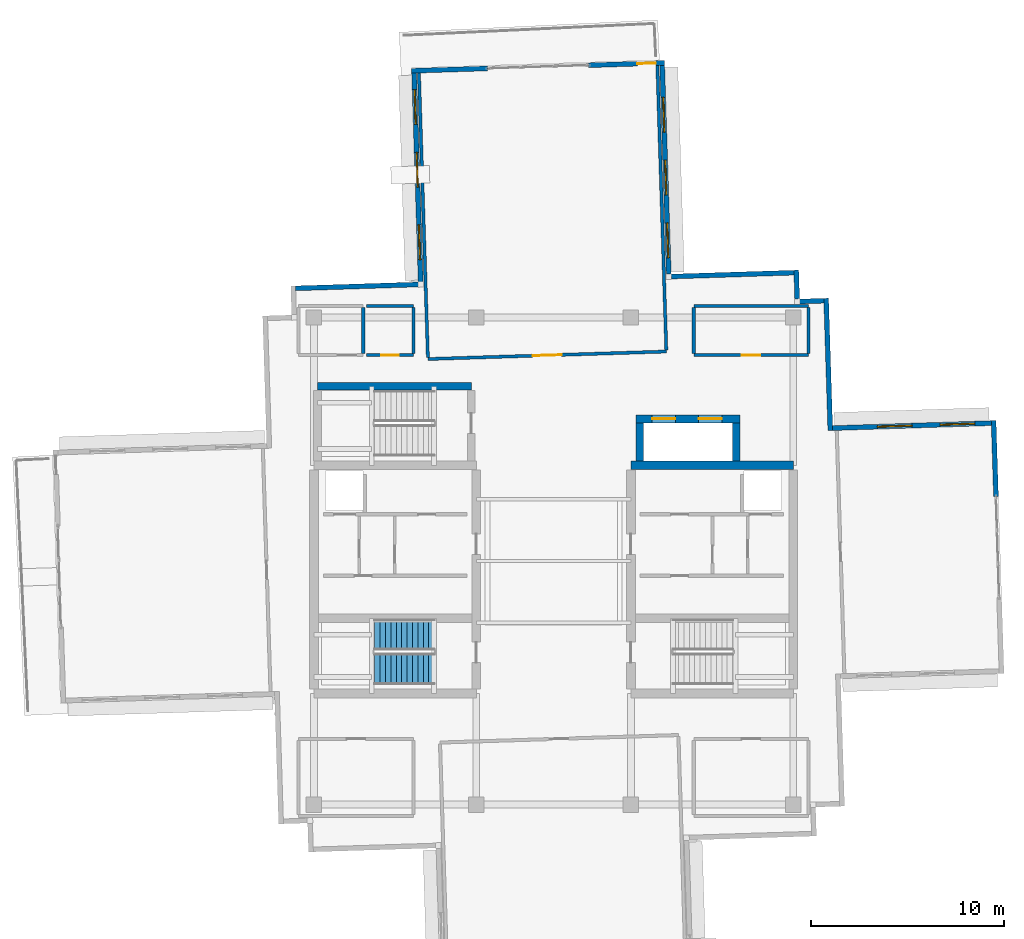
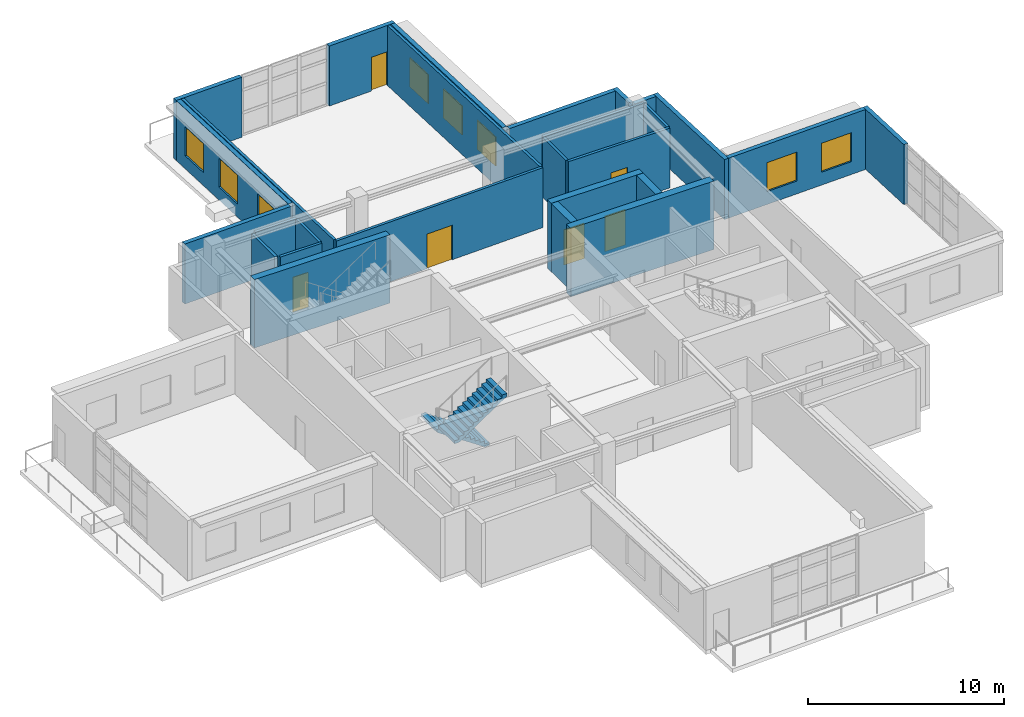
# One storey, part 12 of 18: 27 walls, 8 windows, 6 doors, 2 stair flights, 14 openings, 1 element without a shape of its own.
"""IFC4 building model written with IfcOpenShell, lengths in metres."""

from ifc_helpers import new_model, si_unit, direction, frame, frame_2d, origin, place, context, subcontext, project, spatial, polyline, rectangle, outline, extrude, material, layer, layer_set, type_object, element, fill, aggregate, save


model = new_model("IFC4")

# Units and contexts
model_context = context("Model", 3, precision=1e-05, world=origin(), true_north=direction((0.0, 1.0)))
body_context = subcontext(model_context, "Body", "Model", "MODEL_VIEW")
ifc_project = project(units=[si_unit("LENGTHUNIT", "METRE"), si_unit("AREAUNIT", "SQUARE_METRE"), si_unit("VOLUMEUNIT", "CUBIC_METRE"), si_unit("PLANEANGLEUNIT", "RADIAN"), si_unit("MASSUNIT", "GRAM", prefix="KILO")], contexts=[model_context])

# Site, building, storey
site_placement = place(None, origin())
site = spatial("IfcSite", under=ifc_project, at=site_placement, CompositionType="ELEMENT")
building_placement = place(site_placement, origin())
building = spatial("IfcBuilding", under=site, at=building_placement, Name="Qingluan Cross Belvedere", CompositionType="ELEMENT")
storey_placement = place(building_placement, frame((0.0, 0.0, 299.39990234375)))
storey = spatial("IfcBuildingStorey", under=building, at=storey_placement, Name="L74", CompositionType="ELEMENT", Elevation=299.39990234375)

# Walls
ifc_material_1 = material(Name="Concrete C50", Category="concrete")
ifc_layer_1 = layer(ifc_material_1, 0.449951171875, Name="CoreShearWall_450")
ifc_layer_set_1 = layer_set([ifc_layer_1], Name="Concrete C50")
wall_type_1 = type_object("IfcWallType", Name="CoreShearWall_450", PredefinedType="SHEAR", material=ifc_layer_set_1)
wall_1_placement = place(storey_placement, frame((4.0, 4.949951171875, 0.0), z_axis=(0.0, 0.0, 1.0), x_axis=(1.0, 0.0, 0.0)))
element("IfcWall", 1, at=wall_1_placement, inside=storey, type_object=wall_type_1, Name="Split core E shear wall L74-N", PredefinedType="SHEAR", context=body_context, shape_type="SweptSolid", body=[
    extrude(rectangle(XDim=8.39990234375, YDim=0.449951171875, at=frame_2d((4.199951171875, 0.0))), origin(), (0.0, 0.0, 1.0), 4.25),
])
wall_2_placement = place(storey_placement, frame((-12.219970703125, 9.0400390625, 0.0), z_axis=(0.0, 0.0, 1.0), x_axis=(1.0, 0.0, 0.0)))
element("IfcWall", 2, at=wall_2_placement, inside=storey, type_object=wall_type_1, Name="Stair ST3 structural wall N L74", PredefinedType="SHEAR", context=body_context, shape_type="SweptSolid", body=[
    extrude(rectangle(XDim=7.9599609375, YDim=0.39990234375, at=frame_2d((3.97998046875, 0.0))), origin(), (0.0, 0.0, 1.0), 4.25),
])
wall_3_placement = place(storey_placement, frame((4.449951171875, 5.179931640625, 0.0), z_axis=(0.0, 0.0, 1.0), x_axis=(0.0, 1.0, 0.0)))
element("IfcWall", 3, at=wall_3_placement, inside=storey, type_object=wall_type_1, Name="Express shuttle core wall L74-W", PredefinedType="SHEAR", context=body_context, shape_type="SweptSolid", body=[
    extrude(rectangle(XDim=1.9599609375, YDim=0.39990234375, at=frame_2d((0.97998046875, 0.0))), origin(), (0.0, 0.0, 1.0), 4.25),
])

# Wall, openings, doors
wall_4_placement = place(storey_placement, frame((4.25, 7.35009765625, 0.0), z_axis=(0.0, 0.0, 1.0), x_axis=(1.0, 0.0, 0.0)))
wall_4 = element("IfcWall", 4, at=wall_4_placement, inside=storey, type_object=wall_type_1, Name="Express shuttle core wall L74-N", PredefinedType="SHEAR", context=body_context, shape_type="SweptSolid", body=[
    extrude(rectangle(XDim=5.39990234375, YDim=0.39990234375, at=frame_2d((2.699951171875, 0.0))), origin(), (0.0, 0.0, 1.0), 4.25),
])
opening_1_placement = place(wall_4_placement, frame((0.85009765625, 0.0, 0.0)))
opening_1 = element("IfcOpeningElement", 5, at=opening_1_placement, cuts=wall_4, Name="Opening LD-12", PredefinedType="OPENING", context=body_context, shape_type="SweptSolid", body=[
    extrude(rectangle(XDim=1.199951171875, YDim=2.199951171875, at=frame_2d((0.60009765625, 1.10009765625))), frame((0.0, 0.2099609375, 0.0), z_axis=(0.0, -1.0, 0.0), x_axis=(1.0, 0.0, 0.0)), (0.0, 0.0, 1.0), 0.419921875),
])
opening_2_placement = place(wall_4_placement, frame((3.25, 0.0, 0.0)))
opening_2 = element("IfcOpeningElement", 6, at=opening_2_placement, cuts=wall_4, Name="Opening LD-12", PredefinedType="OPENING", context=body_context, shape_type="SweptSolid", body=[
    extrude(rectangle(XDim=1.199951171875, YDim=2.199951171875, at=frame_2d((0.60009765625, 1.10009765625))), frame((0.0, 0.2099609375, 0.0), z_axis=(0.0, -1.0, 0.0), x_axis=(1.0, 0.0, 0.0)), (0.0, 0.0, 1.0), 0.419921875),
])
ifc_material_2 = material(Name="Bronze-anodised stainless steel lift landing door", Category="steel")
door_type_1 = type_object("IfcDoorType", Name="ExpressLiftSlidingDoor_1200", OperationType="DOUBLE_DOOR_SLIDING", PredefinedType="DOOR", material=ifc_material_2)
door_1_placement = place(opening_1_placement, origin())
door_1 = element("IfcDoor", 7, at=door_1_placement, inside=storey, type_object=door_type_1, Name="Express shuttle landing sliding door LPX1 L74", OperationType="DOUBLE_DOOR_SLIDING", OverallHeight=2.199951171875, OverallWidth=1.199951171875, PredefinedType="DOOR", context=body_context, shape_type="SweptSolid", body=[
    extrude(rectangle(XDim=1.199951171875, YDim=2.199951171875, at=frame_2d((0.60009765625, 1.10009765625))), frame((0.0, 0.02490234375, 0.0), z_axis=(0.0, -1.0, 0.0), x_axis=(1.0, 0.0, 0.0)), (0.0, 0.0, 1.0), 0.050048828125),
])
fill(opening_1, door_1)
door_2_placement = place(opening_2_placement, origin())
door_2 = element("IfcDoor", 8, at=door_2_placement, inside=storey, type_object=door_type_1, Name="Express shuttle landing sliding door LPX2 L74", OperationType="DOUBLE_DOOR_SLIDING", OverallHeight=2.199951171875, OverallWidth=1.199951171875, PredefinedType="DOOR", context=body_context, shape_type="SweptSolid", body=[
    extrude(rectangle(XDim=1.199951171875, YDim=2.199951171875, at=frame_2d((0.60009765625, 1.10009765625))), frame((0.0, 0.02490234375, 0.0), z_axis=(0.0, -1.0, 0.0), x_axis=(1.0, 0.0, 0.0)), (0.0, 0.0, 1.0), 0.050048828125),
])
fill(opening_2, door_2)

# Wall
wall_5_placement = place(storey_placement, frame((9.449951171875, 5.179931640625, 0.0), z_axis=(0.0, 0.0, 1.0), x_axis=(0.0, 1.0, 0.0)))
element("IfcWall", 9, at=wall_5_placement, inside=storey, type_object=wall_type_1, Name="Express shuttle core wall L74-E", PredefinedType="SHEAR", context=body_context, shape_type="SweptSolid", body=[
    extrude(rectangle(XDim=1.9599609375, YDim=0.39990234375, at=frame_2d((0.97998046875, 0.0))), origin(), (0.0, 0.0, 1.0), 4.25),
])

# Wall, opening, door
ifc_material_3 = material(Name="Gypsum plasterboard on steel stud acoustic partition", Category="steel")
ifc_layer_2 = layer(ifc_material_3, 0.159912109375, Name="CorridorPartition_160")
ifc_layer_set_2 = layer_set([ifc_layer_2], Name="Gypsum plasterboard on steel stud acoustic partition")
wall_type_2 = type_object("IfcWallType", Name="CorridorPartition_160", PredefinedType="PARTITIONING", material=ifc_layer_set_2)
wall_6_placement = place(storey_placement, frame((-6.50146484375, 10.450927734375, 0.0), z_axis=(0.0, 0.0, 1.0), x_axis=(0.999506967101, 0.031397813872, 0.0)))
wall_6 = element("IfcWall", 10, at=wall_6_placement, inside=storey, type_object=wall_type_2, Name="Partition L74:damper_hall:S", PredefinedType="PARTITIONING", context=body_context, shape_type="SweptSolid", body=[
    extrude(rectangle(XDim=12.340087890625, YDim=0.159912109375, at=frame_2d((6.169921875, 0.0))), origin(), (0.0, 0.0, 1.0), 3.72021484375),
])
opening_3_placement = place(wall_6_placement, frame((5.419921875, 0.0, 0.0)))
opening_3 = element("IfcOpeningElement", 11, at=opening_3_placement, cuts=wall_6, Name="Opening FD-A15", PredefinedType="OPENING", context=body_context, shape_type="SweptSolid", body=[
    extrude(rectangle(XDim=1.5, YDim=2.14990234375, at=frame_2d((0.75, 1.074951171875))), frame((0.0, 0.08984375, 0.0), z_axis=(0.0, -1.0, 0.0), x_axis=(1.0, 0.0, 0.0)), (0.0, 0.0, 1.0), 0.179931640625),
])
ifc_material_4 = material(Name="Insulated steel Class A double fire door", Category="steel")
door_type_2 = type_object("IfcDoorType", Name="PlantDoubleFireDoor_FDA", OperationType="DOUBLE_DOOR_SINGLE_SWING", PredefinedType="DOOR", material=ifc_material_4)
door_3_placement = place(opening_3_placement, origin())
door_3 = element("IfcDoor", 12, at=door_3_placement, inside=storey, type_object=door_type_2, Name="Sky banquet hall L74 door", OperationType="DOUBLE_DOOR_SINGLE_SWING", OverallHeight=2.14990234375, OverallWidth=1.5, PredefinedType="DOOR", context=body_context, shape_type="SweptSolid", body=[
    extrude(rectangle(XDim=1.5, YDim=2.14990234375, at=frame_2d((0.75, 1.074951171875))), frame((0.0, 0.02490234375, 0.0), z_axis=(0.0, -1.0, 0.0), x_axis=(1.0, 0.0, 0.0)), (0.0, 0.0, 1.0), 0.050048828125),
])
fill(opening_3, door_3)

# Walls
wall_7_placement = place(storey_placement, frame((-6.504150390625, 10.535888671875, 0.0), z_axis=(0.0, 0.0, 1.0), x_axis=(-0.031414008392, 0.999506458247, 0.0)))
element("IfcWall", 13, at=wall_7_placement, inside=storey, type_object=wall_type_2, Name="Partition L74:damper_hall:W", PredefinedType="PARTITIONING", context=body_context, shape_type="SweptSolid", body=[
    extrude(rectangle(XDim=14.7119140625, YDim=0.159912109375, at=frame_2d((7.35595703125, 0.0))), origin(), (0.0, 0.0, 1.0), 3.72021484375),
])
wall_8_placement = place(storey_placement, frame((5.829833984375, 10.923583984375, 0.0), z_axis=(0.0, 0.0, 1.0), x_axis=(-0.031413487348, 0.999506474623, 0.0)))
element("IfcWall", 14, at=wall_8_placement, inside=storey, type_object=wall_type_2, Name="Partition L74:damper_hall:E", PredefinedType="PARTITIONING", context=body_context, shape_type="SweptSolid", body=[
    extrude(rectangle(XDim=14.712158203125, YDim=0.159912109375, at=frame_2d((7.35595703125, 0.0))), origin(), (0.0, 0.0, 1.0), 3.72021484375),
])
wall_9_placement = place(storey_placement, frame((-9.85009765625, 10.735107421875, 0.0), z_axis=(0.0, 0.0, 1.0), x_axis=(0.0, 1.0, 0.0)))
element("IfcWall", 15, at=wall_9_placement, inside=storey, type_object=wall_type_2, Name="Partition L74:crown_wc:E", PredefinedType="PARTITIONING", context=body_context, shape_type="SweptSolid", body=[
    extrude(rectangle(XDim=2.369873046875, YDim=0.159912109375, at=frame_2d((1.18505859375, 0.0))), origin(), (0.0, 0.0, 1.0), 3.72021484375),
])

# Wall, opening, door
wall_10_placement = place(storey_placement, frame((-9.68994140625, 10.64990234375, 0.0), z_axis=(0.0, 0.0, 1.0), x_axis=(1.0, 0.0, 0.0)))
wall_10 = element("IfcWall", 16, at=wall_10_placement, inside=storey, type_object=wall_type_2, Name="Partition L74:crown_acc:S", PredefinedType="PARTITIONING", context=body_context, shape_type="SweptSolid", body=[
    extrude(rectangle(XDim=2.43994140625, YDim=0.159912109375, at=frame_2d((1.219970703125, 0.0))), origin(), (0.0, 0.0, 1.0), 3.72021484375),
])
opening_4_placement = place(wall_10_placement, frame((0.77001953125, 0.0, 0.0)))
opening_4 = element("IfcOpeningElement", 17, at=opening_4_placement, cuts=wall_10, Name="Opening BD-90", PredefinedType="OPENING", context=body_context, shape_type="SweptSolid", body=[
    extrude(rectangle(XDim=0.89990234375, YDim=2.14990234375, at=frame_2d((0.449951171875, 1.074951171875))), frame((0.0, 0.08984375, 0.0), z_axis=(0.0, -1.0, 0.0), x_axis=(1.0, 0.0, 0.0)), (0.0, 0.0, 1.0), 0.179931640625),
])
ifc_material_5 = material(Name="Moisture-sealed timber washroom door", Category="wood")
door_type_3 = type_object("IfcDoorType", Name="AccessibleWCDoor_900", OperationType="NOTDEFINED", PredefinedType="DOOR", material=ifc_material_5)
door_4_placement = place(opening_4_placement, origin())
door_4 = element("IfcDoor", 18, at=door_4_placement, inside=storey, type_object=door_type_3, Name="Accessible toilet L74 door", OperationType="SINGLE_SWING_RIGHT", OverallHeight=2.14990234375, OverallWidth=0.89990234375, PredefinedType="DOOR", context=body_context, shape_type="SweptSolid", body=[
    extrude(rectangle(XDim=0.89990234375, YDim=2.14990234375, at=frame_2d((0.449951171875, 1.074951171875))), frame((0.0, 0.02490234375, 0.0), z_axis=(0.0, -1.0, 0.0), x_axis=(1.0, 0.0, 0.0)), (0.0, 0.0, 1.0), 0.050048828125),
])
fill(opening_4, door_4)

# Walls
wall_11_placement = place(storey_placement, frame((-9.68994140625, 13.18994140625, 0.0), z_axis=(0.0, 0.0, 1.0), x_axis=(1.0, 0.0, 0.0)))
element("IfcWall", 19, at=wall_11_placement, inside=storey, type_object=wall_type_2, Name="Partition L74:crown_acc:N", PredefinedType="PARTITIONING", context=body_context, shape_type="SweptSolid", body=[
    extrude(rectangle(XDim=2.43994140625, YDim=0.159912109375, at=frame_2d((1.219970703125, 0.0))), origin(), (0.0, 0.0, 1.0), 3.72021484375),
])
wall_12_placement = place(storey_placement, frame((-7.25, 10.735107421875, 0.0), z_axis=(0.0, 0.0, 1.0), x_axis=(0.0, 1.0, 0.0)))
element("IfcWall", 20, at=wall_12_placement, inside=storey, type_object=wall_type_2, Name="Partition L74:crown_acc:E", PredefinedType="PARTITIONING", context=body_context, shape_type="SweptSolid", body=[
    extrude(rectangle(XDim=2.369873046875, YDim=0.159912109375, at=frame_2d((1.18505859375, 0.0))), origin(), (0.0, 0.0, 1.0), 3.72021484375),
])

# Wall, opening, door
wall_13_placement = place(storey_placement, frame((7.25, 10.64990234375, 0.0), z_axis=(0.0, 0.0, 1.0), x_axis=(1.0, 0.0, 0.0)))
wall_13 = element("IfcWall", 21, at=wall_13_placement, inside=storey, type_object=wall_type_2, Name="Partition L74:crown_ne:S", PredefinedType="PARTITIONING", context=body_context, shape_type="SweptSolid", body=[
    extrude(rectangle(XDim=5.93994140625, YDim=0.159912109375, at=frame_2d((2.969970703125, 0.0))), origin(), (0.0, 0.0, 1.0), 3.72021484375),
])
opening_5_placement = place(wall_13_placement, frame((2.489990234375, 0.0, 0.0)))
opening_5 = element("IfcOpeningElement", 22, at=opening_5_placement, cuts=wall_13, Name="Opening GD-10", PredefinedType="OPENING", context=body_context, shape_type="SweptSolid", body=[
    extrude(rectangle(XDim=0.9599609375, YDim=2.14990234375, at=frame_2d((0.47998046875, 1.074951171875))), frame((0.0, 0.08984375, 0.0), z_axis=(0.0, -1.0, 0.0), x_axis=(1.0, 0.0, 0.0)), (0.0, 0.0, 1.0), 0.179931640625),
])
ifc_material_6 = material(Name="Timber oak fire-rated acoustic guestroom door", Category="wood")
door_type_4 = type_object("IfcDoorType", Name="GuestEntryDoor_FD60", OperationType="NOTDEFINED", PredefinedType="DOOR", material=ifc_material_6)
door_5_placement = place(opening_5_placement, origin())
door_5 = element("IfcDoor", 23, at=door_5_placement, inside=storey, type_object=door_type_4, Name="Belvedere northeast lounge L74 door", OperationType="SINGLE_SWING_LEFT", OverallHeight=2.14990234375, OverallWidth=0.9599609375, PredefinedType="DOOR", context=body_context, shape_type="SweptSolid", body=[
    extrude(rectangle(XDim=0.9599609375, YDim=2.14990234375, at=frame_2d((0.47998046875, 1.074951171875))), frame((0.0, 0.02490234375, 0.0), z_axis=(0.0, -1.0, 0.0), x_axis=(1.0, 0.0, 0.0)), (0.0, 0.0, 1.0), 0.050048828125),
])
fill(opening_5, door_5)

# Walls
wall_14_placement = place(storey_placement, frame((7.25, 13.18994140625, 0.0), z_axis=(0.0, 0.0, 1.0), x_axis=(1.0, 0.0, 0.0)))
element("IfcWall", 24, at=wall_14_placement, inside=storey, type_object=wall_type_2, Name="Partition L74:crown_ne:N", PredefinedType="PARTITIONING", context=body_context, shape_type="SweptSolid", body=[
    extrude(rectangle(XDim=5.93994140625, YDim=0.159912109375, at=frame_2d((2.969970703125, 0.0))), origin(), (0.0, 0.0, 1.0), 3.72021484375),
])
for number, where, z_axis, x_axis, name in (
    (25, (7.25, 10.735107421875, 0.0), (0.0, 0.0, 1.0), (0.0, 1.0, 0.0), "Partition L74:crown_ne:W"),
    (26, (13.18994140625, 10.735107421875, 0.0), (0.0, 0.0, 1.0), (0.0, 1.0, 0.0), "Partition L74:crown_ne:E"),
):
    element("IfcWall", number, at=place(storey_placement, frame(where, z_axis=z_axis, x_axis=x_axis)), inside=storey, type_object=wall_type_2, Name=name, PredefinedType="PARTITIONING", context=body_context, shape_type="SweptSolid", body=[
        extrude(rectangle(XDim=2.369873046875, YDim=0.159912109375, at=frame_2d((1.18505859375, 0.0))), origin(), (0.0, 0.0, 1.0), 3.72021484375),
    ])

# Wall, openings, windows
ifc_material_7 = material(Name="Precast concrete C45", Category="concrete")
ifc_layer_3 = layer(ifc_material_7, 0.25, Name="PrecastCrownWall_250")
ifc_layer_set_3 = layer_set([ifc_layer_3], Name="Precast concrete C45")
wall_type_3 = type_object("IfcWallType", Name="PrecastCrownWall_250", PredefinedType="STANDARD", material=ifc_layer_set_3)
wall_15_placement = place(storey_placement, frame((22.64208984375, 7.134765625, 0.0), z_axis=(0.0, 0.0, 1.0), x_axis=(-0.999505906315, -0.031431564411, 0.0)))
wall_15 = element("IfcWall", 27, at=wall_15_placement, inside=storey, type_object=wall_type_3, Name="Facade wall L74-EB", PredefinedType="STANDARD", context=body_context, shape_type="SweptSolid", body=[
    extrude(rectangle(XDim=8.210205078125, YDim=0.25, at=frame_2d((4.10498046875, 0.0))), origin(), (0.0, 0.0, 1.0), 3.72998046875),
])
opening_6_placement = place(wall_15_placement, frame((0.85009765625, 0.0, 0.800048828125)))
opening_6 = element("IfcOpeningElement", 28, at=opening_6_placement, cuts=wall_15, Name="Opening W-05", PredefinedType="OPENING", context=body_context, shape_type="SweptSolid", body=[
    extrude(rectangle(XDim=1.800048828125, YDim=1.800048828125, at=frame_2d((0.89990234375, 0.89990234375))), frame((0.0, 0.135009765625, 0.0), z_axis=(0.0, -1.0, 0.0), x_axis=(1.0, 0.0, 0.0)), (0.0, 0.0, 1.0), 0.27001953125),
])
opening_7_placement = place(wall_15_placement, frame((4.10009765625, 0.0, 0.800048828125)))
opening_7 = element("IfcOpeningElement", 29, at=opening_7_placement, cuts=wall_15, Name="Opening W-05", PredefinedType="OPENING", context=body_context, shape_type="SweptSolid", body=[
    extrude(rectangle(XDim=1.800048828125, YDim=1.800048828125, at=frame_2d((0.89990234375, 0.89990234375))), frame((0.0, 0.135009765625, 0.0), z_axis=(0.0, -1.0, 0.0), x_axis=(1.0, 0.0, 0.0)), (0.0, 0.0, 1.0), 0.27001953125),
])
ifc_material_8 = material(Name="Thermally broken triple Low-E glass in aluminium frame", Category="aluminium")
window_type = type_object("IfcWindowType", Name="CrownBelvedereWin_1800x1800", PartitioningType="SINGLE_PANEL", PredefinedType="WINDOW", material=ifc_material_8)
window_1_placement = place(opening_6_placement, origin())
window_1 = element("IfcWindow", 30, at=window_1_placement, inside=storey, type_object=window_type, Name="Ribbon window L74-EB-1", OverallHeight=1.800048828125, OverallWidth=1.800048828125, PartitioningType="SINGLE_PANEL", PredefinedType="WINDOW", context=body_context, shape_type="SweptSolid", body=[
    extrude(rectangle(XDim=1.800048828125, YDim=1.800048828125, at=frame_2d((0.89990234375, 0.89990234375))), frame((0.0, 0.030029296875, 0.0), z_axis=(0.0, -1.0, 0.0), x_axis=(1.0, 0.0, 0.0)), (0.0, 0.0, 1.0), 0.06005859375),
])
fill(opening_6, window_1)
window_2_placement = place(opening_7_placement, origin())
window_2 = element("IfcWindow", 31, at=window_2_placement, inside=storey, type_object=window_type, Name="Ribbon window L74-EB-2", OverallHeight=1.800048828125, OverallWidth=1.800048828125, PartitioningType="SINGLE_PANEL", PredefinedType="WINDOW", context=body_context, shape_type="SweptSolid", body=[
    extrude(rectangle(XDim=1.800048828125, YDim=1.800048828125, at=frame_2d((0.89990234375, 0.89990234375))), frame((0.0, 0.030029296875, 0.0), z_axis=(0.0, -1.0, 0.0), x_axis=(1.0, 0.0, 0.0)), (0.0, 0.0, 1.0), 0.06005859375),
])
fill(opening_7, window_2)

# Wall
wall_16_placement = place(storey_placement, frame((22.886474609375, 3.33837890625, 0.0), z_axis=(0.0, 0.0, 1.0), x_axis=(-0.031393897283, 0.999507090127, 0.0)))
element("IfcWall", 32, at=wall_16_placement, inside=storey, type_object=wall_type_3, Name="Terrace portal jamb wall L74-E2", PredefinedType="STANDARD", context=body_context, shape_type="SweptSolid", body=[
    extrude(rectangle(XDim=3.92724609375, YDim=0.25, at=frame_2d((1.963623046875, 0.0))), origin(), (0.0, 0.0, 1.0), 3.72998046875),
])

# Wall, openings, windows
wall_17_placement = place(storey_placement, frame((5.956787109375, 14.83935546875, 0.0), z_axis=(0.0, 0.0, 1.0), x_axis=(-0.031415252825, 0.999506419134, 0.0)))
wall_17 = element("IfcWall", 33, at=wall_17_placement, inside=storey, type_object=wall_type_3, Name="Facade wall L74-NA", PredefinedType="STANDARD", context=body_context, shape_type="SweptSolid", body=[
    extrude(rectangle(XDim=10.81005859375, YDim=0.25, at=frame_2d((5.405029296875, 0.0))), origin(), (0.0, 0.0, 1.0), 3.72998046875),
])
opening_8_placement = place(wall_17_placement, frame((0.85009765625, 0.0, 0.800048828125)))
opening_8 = element("IfcOpeningElement", 34, at=opening_8_placement, cuts=wall_17, Name="Opening W-05", PredefinedType="OPENING", context=body_context, shape_type="SweptSolid", body=[
    extrude(rectangle(XDim=1.800048828125, YDim=1.800048828125, at=frame_2d((0.89990234375, 0.89990234375))), frame((0.0, 0.135009765625, 0.0), z_axis=(0.0, -1.0, 0.0), x_axis=(1.0, 0.0, 0.0)), (0.0, 0.0, 1.0), 0.27001953125),
])
opening_9_placement = place(wall_17_placement, frame((4.10009765625, 0.0, 0.800048828125)))
opening_9 = element("IfcOpeningElement", 35, at=opening_9_placement, cuts=wall_17, Name="Opening W-05", PredefinedType="OPENING", context=body_context, shape_type="SweptSolid", body=[
    extrude(rectangle(XDim=1.800048828125, YDim=1.800048828125, at=frame_2d((0.89990234375, 0.89990234375))), frame((0.0, 0.135009765625, 0.0), z_axis=(0.0, -1.0, 0.0), x_axis=(1.0, 0.0, 0.0)), (0.0, 0.0, 1.0), 0.27001953125),
])
opening_10_placement = place(wall_17_placement, frame((7.35009765625, 0.0, 0.800048828125)))
opening_10 = element("IfcOpeningElement", 36, at=opening_10_placement, cuts=wall_17, Name="Opening W-05", PredefinedType="OPENING", context=body_context, shape_type="SweptSolid", body=[
    extrude(rectangle(XDim=1.800048828125, YDim=1.800048828125, at=frame_2d((0.89990234375, 0.89990234375))), frame((0.0, 0.135009765625, 0.0), z_axis=(0.0, -1.0, 0.0), x_axis=(1.0, 0.0, 0.0)), (0.0, 0.0, 1.0), 0.27001953125),
])
window_3_placement = place(opening_8_placement, origin())
window_3 = element("IfcWindow", 37, at=window_3_placement, inside=storey, type_object=window_type, Name="Ribbon window L74-NA-1", OverallHeight=1.800048828125, OverallWidth=1.800048828125, PartitioningType="SINGLE_PANEL", PredefinedType="WINDOW", context=body_context, shape_type="SweptSolid", body=[
    extrude(rectangle(XDim=1.800048828125, YDim=1.800048828125, at=frame_2d((0.89990234375, 0.89990234375))), frame((0.0, 0.030029296875, 0.0), z_axis=(0.0, -1.0, 0.0), x_axis=(1.0, 0.0, 0.0)), (0.0, 0.0, 1.0), 0.06005859375),
])
fill(opening_8, window_3)
window_4_placement = place(opening_9_placement, origin())
window_4 = element("IfcWindow", 38, at=window_4_placement, inside=storey, type_object=window_type, Name="Ribbon window L74-NA-2", OverallHeight=1.800048828125, OverallWidth=1.800048828125, PartitioningType="SINGLE_PANEL", PredefinedType="WINDOW", context=body_context, shape_type="SweptSolid", body=[
    extrude(rectangle(XDim=1.800048828125, YDim=1.800048828125, at=frame_2d((0.89990234375, 0.89990234375))), frame((0.0, 0.030029296875, 0.0), z_axis=(0.0, -1.0, 0.0), x_axis=(1.0, 0.0, 0.0)), (0.0, 0.0, 1.0), 0.06005859375),
])
fill(opening_9, window_4)
window_5_placement = place(opening_10_placement, origin())
window_5 = element("IfcWindow", 39, at=window_5_placement, inside=storey, type_object=window_type, Name="Ribbon window L74-NA-3", OverallHeight=1.800048828125, OverallWidth=1.800048828125, PartitioningType="SINGLE_PANEL", PredefinedType="WINDOW", context=body_context, shape_type="SweptSolid", body=[
    extrude(rectangle(XDim=1.800048828125, YDim=1.800048828125, at=frame_2d((0.89990234375, 0.89990234375))), frame((0.0, 0.030029296875, 0.0), z_axis=(0.0, -1.0, 0.0), x_axis=(1.0, 0.0, 0.0)), (0.0, 0.0, 1.0), 0.06005859375),
])
fill(opening_10, window_5)

wall_18_placement = place(storey_placement, frame((-7.21630859375, 25.24072265625, 0.0), z_axis=(0.0, 0.0, 1.0), x_axis=(0.031415252825, -0.999506419134, 0.0)))
wall_18 = element("IfcWall", 40, at=wall_18_placement, inside=storey, type_object=wall_type_3, Name="Facade wall L74-NB", PredefinedType="STANDARD", context=body_context, shape_type="SweptSolid", body=[
    extrude(rectangle(XDim=10.81005859375, YDim=0.25, at=frame_2d((5.405029296875, 0.0))), origin(), (0.0, 0.0, 1.0), 3.72998046875),
])
opening_11_placement = place(wall_18_placement, frame((0.85009765625, 0.0, 0.800048828125)))
opening_11 = element("IfcOpeningElement", 41, at=opening_11_placement, cuts=wall_18, Name="Opening W-05", PredefinedType="OPENING", context=body_context, shape_type="SweptSolid", body=[
    extrude(rectangle(XDim=1.800048828125, YDim=1.800048828125, at=frame_2d((0.89990234375, 0.89990234375))), frame((0.0, 0.135009765625, 0.0), z_axis=(0.0, -1.0, 0.0), x_axis=(1.0, 0.0, 0.0)), (0.0, 0.0, 1.0), 0.27001953125),
])
opening_12_placement = place(wall_18_placement, frame((4.10009765625, 0.0, 0.800048828125)))
opening_12 = element("IfcOpeningElement", 42, at=opening_12_placement, cuts=wall_18, Name="Opening W-05", PredefinedType="OPENING", context=body_context, shape_type="SweptSolid", body=[
    extrude(rectangle(XDim=1.800048828125, YDim=1.800048828125, at=frame_2d((0.89990234375, 0.89990234375))), frame((0.0, 0.135009765625, 0.0), z_axis=(0.0, -1.0, 0.0), x_axis=(1.0, 0.0, 0.0)), (0.0, 0.0, 1.0), 0.27001953125),
])
opening_13_placement = place(wall_18_placement, frame((7.85009765625, 0.0, 0.800048828125)))
opening_13 = element("IfcOpeningElement", 43, at=opening_13_placement, cuts=wall_18, Name="Opening W-05", PredefinedType="OPENING", context=body_context, shape_type="SweptSolid", body=[
    extrude(rectangle(XDim=1.800048828125, YDim=1.800048828125, at=frame_2d((0.89990234375, 0.89990234375))), frame((0.0, 0.135009765625, 0.0), z_axis=(0.0, -1.0, 0.0), x_axis=(1.0, 0.0, 0.0)), (0.0, 0.0, 1.0), 0.27001953125),
])
window_6_placement = place(opening_11_placement, origin())
window_6 = element("IfcWindow", 44, at=window_6_placement, inside=storey, type_object=window_type, Name="Ribbon window L74-NB-1", OverallHeight=1.800048828125, OverallWidth=1.800048828125, PartitioningType="SINGLE_PANEL", PredefinedType="WINDOW", context=body_context, shape_type="SweptSolid", body=[
    extrude(rectangle(XDim=1.800048828125, YDim=1.800048828125, at=frame_2d((0.89990234375, 0.89990234375))), frame((0.0, 0.030029296875, 0.0), z_axis=(0.0, -1.0, 0.0), x_axis=(1.0, 0.0, 0.0)), (0.0, 0.0, 1.0), 0.06005859375),
])
fill(opening_11, window_6)
window_7_placement = place(opening_12_placement, origin())
window_7 = element("IfcWindow", 45, at=window_7_placement, inside=storey, type_object=window_type, Name="Ribbon window L74-NB-2", OverallHeight=1.800048828125, OverallWidth=1.800048828125, PartitioningType="SINGLE_PANEL", PredefinedType="WINDOW", context=body_context, shape_type="SweptSolid", body=[
    extrude(rectangle(XDim=1.800048828125, YDim=1.800048828125, at=frame_2d((0.89990234375, 0.89990234375))), frame((0.0, 0.030029296875, 0.0), z_axis=(0.0, -1.0, 0.0), x_axis=(1.0, 0.0, 0.0)), (0.0, 0.0, 1.0), 0.06005859375),
])
fill(opening_12, window_7)
window_8_placement = place(opening_13_placement, origin())
window_8 = element("IfcWindow", 46, at=window_8_placement, inside=storey, type_object=window_type, Name="Ribbon window L74-NB-3", OverallHeight=1.800048828125, OverallWidth=1.800048828125, PartitioningType="SINGLE_PANEL", PredefinedType="WINDOW", context=body_context, shape_type="SweptSolid", body=[
    extrude(rectangle(XDim=1.800048828125, YDim=1.800048828125, at=frame_2d((0.89990234375, 0.89990234375))), frame((0.0, 0.030029296875, 0.0), z_axis=(0.0, -1.0, 0.0), x_axis=(1.0, 0.0, 0.0)), (0.0, 0.0, 1.0), 0.06005859375),
])
fill(opening_13, window_8)

# Wall, opening, door
wall_19_placement = place(storey_placement, frame((5.73828125, 25.77294921875, 0.0), z_axis=(0.0, 0.0, 1.0), x_axis=(-0.999507028851, -0.031395848079, 0.0)))
wall_19 = element("IfcWall", 47, at=wall_19_placement, inside=storey, type_object=wall_type_3, Name="Terrace portal jamb wall L74-N1", PredefinedType="STANDARD", context=body_context, shape_type="SweptSolid", body=[
    extrude(rectangle(XDim=3.927001953125, YDim=0.25, at=frame_2d((1.96337890625, 0.0))), origin(), (0.0, 0.0, 1.0), 3.72998046875),
])
opening_14_placement = place(wall_19_placement, frame((0.449951171875, 0.0, 0.0)))
opening_14 = element("IfcOpeningElement", 48, at=opening_14_placement, cuts=wall_19, Name="Opening TD-10", PredefinedType="OPENING", context=body_context, shape_type="SweptSolid", body=[
    extrude(rectangle(XDim=0.9599609375, YDim=2.10009765625, at=frame_2d((0.47998046875, 1.050048828125))), frame((0.0, 0.135009765625, 0.0), z_axis=(0.0, -1.0, 0.0), x_axis=(1.0, 0.0, 0.0)), (0.0, 0.0, 1.0), 0.27001953125),
])
ifc_material_9 = material(Name="Thermally broken aluminium and Low-E glass", Category="aluminium")
door_type_5 = type_object("IfcDoorType", Name="SetbackTerraceDoor_096", OperationType="NOTDEFINED", PredefinedType="DOOR", material=ifc_material_9)
door_6_placement = place(opening_14_placement, origin())
door_6 = element("IfcDoor", 49, at=door_6_placement, inside=storey, type_object=door_type_5, Name="Outdoor terrace access door L74-set1", OperationType="SINGLE_SWING_RIGHT", OverallHeight=2.10009765625, OverallWidth=0.9599609375, PredefinedType="DOOR", context=body_context, shape_type="SweptSolid", body=[
    extrude(rectangle(XDim=0.9599609375, YDim=2.10009765625, at=frame_2d((0.47998046875, 1.050048828125))), frame((0.0, 0.02490234375, 0.0), z_axis=(0.0, -1.0, 0.0), x_axis=(1.0, 0.0, 0.0)), (0.0, 0.0, 1.0), 0.050048828125),
])
fill(opening_14, door_6)

# Walls
wall_20_placement = place(storey_placement, frame((-3.420166015625, 25.485107421875, 0.0), z_axis=(0.0, 0.0, 1.0), x_axis=(-0.999507028851, -0.031395848079, 0.0)))
element("IfcWall", 50, at=wall_20_placement, inside=storey, type_object=wall_type_3, Name="Terrace portal jamb wall L74-N2", PredefinedType="STANDARD", context=body_context, shape_type="SweptSolid", body=[
    extrude(rectangle(XDim=3.927001953125, YDim=0.25, at=frame_2d((1.96337890625, 0.0))), origin(), (0.0, 0.0, 1.0), 3.72998046875),
])
wall_21_placement = place(storey_placement, frame((14.315185546875, 6.748046875, 0.0), z_axis=(0.0, 0.0, 1.0), x_axis=(-0.03143615455, 0.999505761958, 0.0)))
element("IfcWall", 51, at=wall_21_placement, inside=storey, type_object=wall_type_3, Name="Corner wall L74-NE1", PredefinedType="STANDARD", context=body_context, shape_type="SweptSolid", body=[
    extrude(rectangle(XDim=6.849853515625, YDim=0.25, at=frame_2d((3.4248046875, 0.0))), origin(), (0.0, 0.0, 1.0), 3.72998046875),
])
wall_22_placement = place(storey_placement, frame((13.97900390625, 13.4658203125, 0.0), z_axis=(0.0, 0.0, 1.0), x_axis=(-0.999505576605, -0.031442047252, 0.0)))
element("IfcWall", 52, at=wall_22_placement, inside=storey, type_object=wall_type_3, Name="Corner wall L74-NE2", PredefinedType="STANDARD", context=body_context, shape_type="SweptSolid", body=[
    extrude(rectangle(XDim=1.250244140625, YDim=0.25, at=frame_2d((0.625, 0.0))), origin(), (0.0, 0.0, 1.0), 3.72998046875),
])
wall_23_placement = place(storey_placement, frame((12.6005859375, 13.547607421875, 0.0), z_axis=(0.0, 0.0, 1.0), x_axis=(-0.031255080879, 0.999511440614, 0.0)))
element("IfcWall", 53, at=wall_23_placement, inside=storey, type_object=wall_type_3, Name="Corner wall L74-NE3", PredefinedType="STANDARD", context=body_context, shape_type="SweptSolid", body=[
    extrude(rectangle(XDim=1.499755859375, YDim=0.25, at=frame_2d((0.75, 0.0))), origin(), (0.0, 0.0, 1.0), 3.72998046875),
])
for number, where, z_axis, x_axis, name in (
    (54, (12.4326171875, 14.91796875, 0.0), (0.0, 0.0, 1.0), (-0.999506546651, -0.031411195469, 0.0), "Corner wall L74-NE4"),
    (55, (-13.3447265625, 14.10791015625, 0.0), (0.0, 0.0, 1.0), (0.999506546651, 0.031411195469, 0.0), "Corner wall L74-NW4"),
):
    element("IfcWall", number, at=place(storey_placement, frame(where, z_axis=z_axis, x_axis=x_axis)), inside=storey, type_object=wall_type_3, Name=name, PredefinedType="STANDARD", context=body_context, shape_type="SweptSolid", body=[
        extrude(rectangle(XDim=6.35009765625, YDim=0.25, at=frame_2d((3.175048828125, 0.0))), origin(), (0.0, 0.0, 1.0), 3.72998046875),
    ])

# Stair, stair flights
ifc_material_10 = material(Name="Concrete C40", Category="concrete")
stair_type = type_object("IfcStairType", Name="CoreDoglegStair_1620", PredefinedType="HALF_TURN_STAIR", material=ifc_material_10)
stair_placement = place(storey_placement, origin())
stair = element("IfcStair", 56, at=stair_placement, inside=storey, type_object=stair_type, Name="L74 ST1", PredefinedType="HALF_TURN_STAIR")
ifc_material_11 = material(Name="Concrete C40", Category="concrete")
ifc_layer_4 = layer(ifc_material_11, 0.179931640625, Name="StairFlight_RC180")
ifc_layer_set_4 = layer_set([ifc_layer_4], Name="Concrete C40")
stair_flight_type = type_object("IfcStairFlightType", Name="StairFlight_RC180", PredefinedType="STRAIGHT", material=ifc_layer_set_4)
stair_flight_1_placement = place(storey_placement, frame((-6.179931640625, -3.81005859375, 0.0), z_axis=(0.0, 0.0, 1.0), x_axis=(-1.0, 0.0, 0.0)))
stair_flight_1 = element("IfcStairFlight", 57, at=stair_flight_1_placement, type_object=stair_flight_type, Name="ST1 flight 1", NumberOfRisers=12, NumberOfTreads=11, PredefinedType="STRAIGHT", RiserHeight=0.1875, TreadLength=0.28, context=body_context, shape_type="SweptSolid", body=[
    extrude(outline(polyline([(0.0, 0.0), (0.0, 0.1875), (0.280029296875, 0.1875), (0.280029296875, 0.375), (0.56005859375, 0.375), (0.56005859375, 0.5625), (0.840087890625, 0.5625), (0.840087890625, 0.75), (1.1201171875, 0.75), (1.1201171875, 0.9375), (1.39990234375, 0.9375), (1.39990234375, 1.125), (1.679931640625, 1.125), (1.679931640625, 1.3125), (1.9599609375, 1.3125), (1.9599609375, 1.5), (2.239990234375, 1.5), (2.239990234375, 1.6875), (2.52001953125, 1.6875), (2.52001953125, 1.875), (2.800048828125, 1.875), (2.800048828125, 2.0625), (3.080078125, 2.0625), (3.080078125, 2.25), (3.080078125, 1.882080078125), (0.26953125, 0.0), (0.0, 0.0)])), frame((0.0, 0.81005859375, 0.0), z_axis=(0.0, -1.0, 0.0), x_axis=(1.0, 0.0, 0.0)), (0.0, 0.0, 1.0), 1.6201171875),
])
stair_flight_2_placement = place(storey_placement, frame((-9.260009765625, -5.590087890625, 2.25), z_axis=(0.0, 0.0, 1.0), x_axis=(1.0, 0.0, 0.0)))
stair_flight_2 = element("IfcStairFlight", 58, at=stair_flight_2_placement, type_object=stair_flight_type, Name="ST1 flight 2", NumberOfRisers=12, NumberOfTreads=11, PredefinedType="STRAIGHT", RiserHeight=0.1875, TreadLength=0.28, context=body_context, shape_type="SweptSolid", body=[
    extrude(outline(polyline([(0.0, 0.0), (0.0, 0.1875), (0.280029296875, 0.1875), (0.280029296875, 0.375), (0.56005859375, 0.375), (0.56005859375, 0.5625), (0.840087890625, 0.5625), (0.840087890625, 0.75), (1.1201171875, 0.75), (1.1201171875, 0.9375), (1.39990234375, 0.9375), (1.39990234375, 1.125), (1.679931640625, 1.125), (1.679931640625, 1.3125), (1.9599609375, 1.3125), (1.9599609375, 1.5), (2.239990234375, 1.5), (2.239990234375, 1.6875), (2.52001953125, 1.6875), (2.52001953125, 1.875), (2.800048828125, 1.875), (2.800048828125, 2.0625), (3.080078125, 2.0625), (3.080078125, 2.25), (3.080078125, 1.882080078125), (0.26953125, 0.0), (0.0, 0.0)])), frame((0.0, 0.81005859375, 0.0), z_axis=(0.0, -1.0, 0.0), x_axis=(1.0, 0.0, 0.0)), (0.0, 0.0, 1.0), 1.6201171875),
])
aggregate(stair, [stair_flight_1, stair_flight_2])

save(model, "model.ifc")
